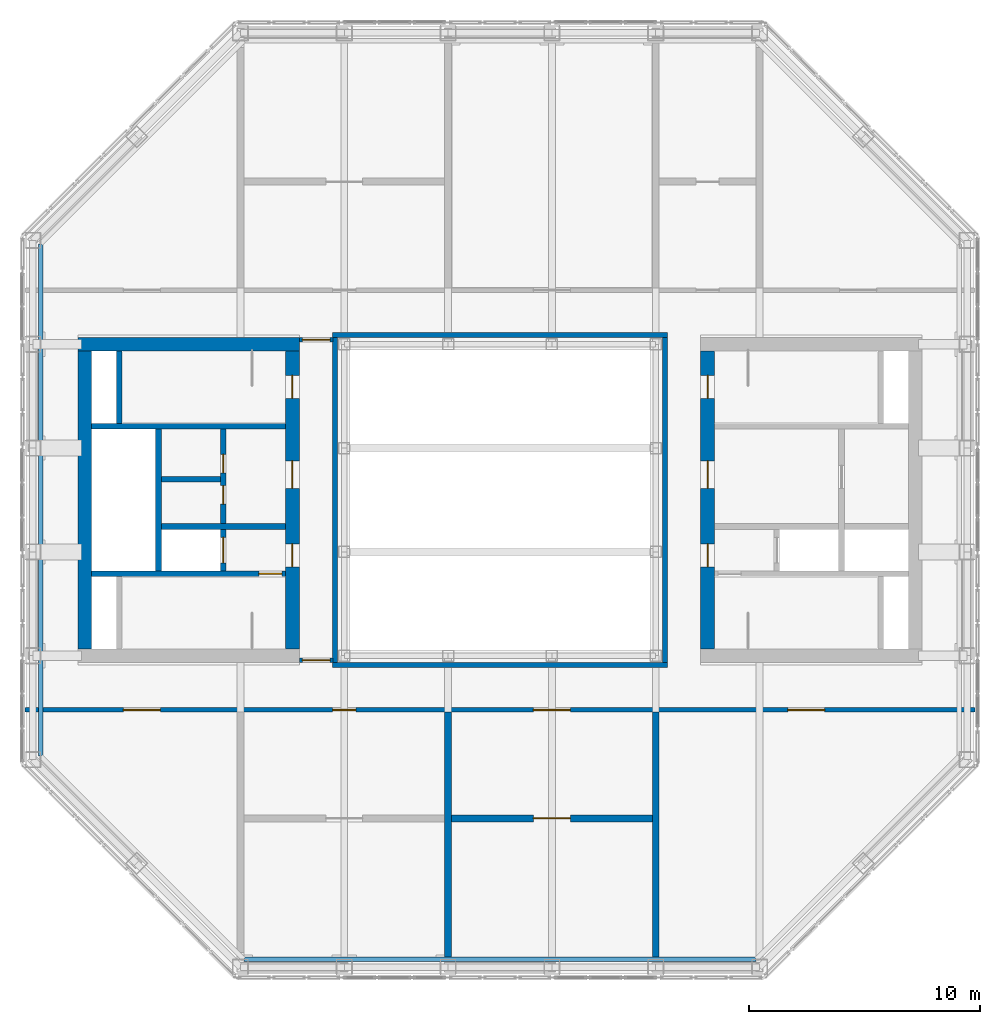
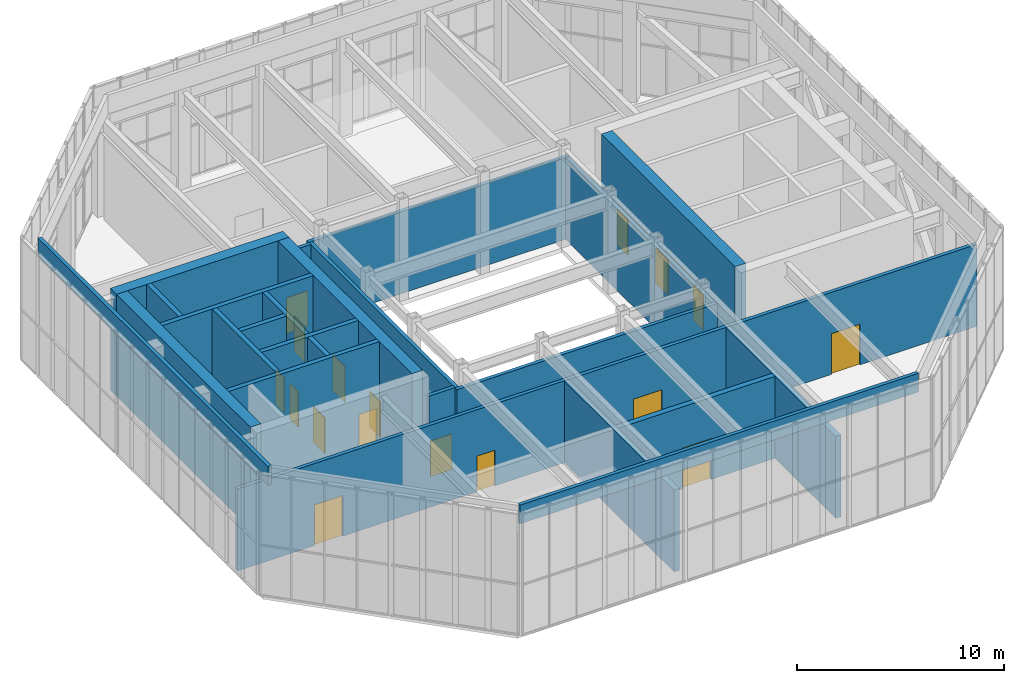
# One storey, part 13 of 15: 23 walls, 17 doors, 17 openings.
"""IFC4 building model written with IfcOpenShell, lengths in metres."""

from ifc_helpers import new_model, si_unit, direction, frame, frame_2d, origin, place, context, subcontext, project, spatial, rectangle, extrude, material, layer, layer_set, type_object, element, fill, save


model = new_model("IFC4")

# Units and contexts
model_context = context("Model", 3, precision=1e-05, world=origin(), true_north=direction((0.0, 1.0)))
body_context = subcontext(model_context, "Body", "Model", "MODEL_VIEW")
ifc_project = project(units=[si_unit("LENGTHUNIT", "METRE"), si_unit("AREAUNIT", "SQUARE_METRE"), si_unit("VOLUMEUNIT", "CUBIC_METRE"), si_unit("PLANEANGLEUNIT", "RADIAN"), si_unit("MASSUNIT", "GRAM", prefix="KILO")], contexts=[model_context])

# Site, building, storey
site_placement = place(None, origin())
site = spatial("IfcSite", under=ifc_project, at=site_placement, CompositionType="ELEMENT")
building_placement = place(site_placement, origin())
building = spatial("IfcBuilding", under=site, at=building_placement, Name="Msasa Ring Tower", CompositionType="ELEMENT")
storey_placement = place(building_placement, frame((0.0, 0.0, 268.050048828125)))
storey = spatial("IfcBuildingStorey", under=building, at=storey_placement, Name="L69", CompositionType="ELEMENT", Elevation=268.050048828125)

# Wall, openings, doors
ifc_material_1 = material(Name="Concrete C60/75", Category="concrete")
ifc_layer_1 = layer(ifc_material_1, 0.60009765625)
ifc_layer_set_1 = layer_set([ifc_layer_1], Name="CW3 CORE WALL 600")
wall_type_1 = type_object("IfcWallType", Name="CW3 CORE WALL 600", PredefinedType="SHEAR", material=ifc_layer_set_1)
wall_1_placement = place(storey_placement, frame((9.0, -6.449951171875, 0.0), z_axis=(0.0, 0.0, 1.0), x_axis=(0.0, 1.0, 0.0)))
wall_1 = element("IfcWall", 1, at=wall_1_placement, inside=storey, type_object=wall_type_1, Name="E core wall W L69", PredefinedType="SHEAR", context=body_context, shape_type="SweptSolid", body=[
    extrude(rectangle(XDim=12.89990234375, YDim=0.60009765625, at=frame_2d((6.449951171875, 0.0))), origin(), (0.0, 0.0, 1.0), 6.0),
])
opening_1_placement = place(wall_1_placement, frame((3.550048828125, 0.0, 0.0)))
opening_1 = element("IfcOpeningElement", 2, at=opening_1_placement, cuts=wall_1, Name="Opening L69-017", PredefinedType="OPENING", context=body_context, shape_type="SweptSolid", body=[
    extrude(rectangle(XDim=1.0, YDim=2.10009765625, at=frame_2d((0.5, 1.050048828125))), frame((0.0, 0.31005859375, 0.0), z_axis=(0.0, -1.0, 0.0), x_axis=(1.0, 0.0, 0.0)), (0.0, 0.0, 1.0), 0.6201171875),
])
opening_2_placement = place(wall_1_placement, frame((6.949951171875, 0.0, 0.0)))
opening_2 = element("IfcOpeningElement", 3, at=opening_2_placement, cuts=wall_1, Name="Opening L69-013", PredefinedType="OPENING", context=body_context, shape_type="SweptSolid", body=[
    extrude(rectangle(XDim=1.199951171875, YDim=2.10009765625, at=frame_2d((0.60009765625, 1.050048828125))), frame((0.0, 0.31005859375, 0.0), z_axis=(0.0, -1.0, 0.0), x_axis=(1.0, 0.0, 0.0)), (0.0, 0.0, 1.0), 0.6201171875),
])
opening_3_placement = place(wall_1_placement, frame((10.85009765625, 0.0, 0.0)))
opening_3 = element("IfcOpeningElement", 4, at=opening_3_placement, cuts=wall_1, Name="Opening L69-010", PredefinedType="OPENING", context=body_context, shape_type="SweptSolid", body=[
    extrude(rectangle(XDim=1.0, YDim=2.10009765625, at=frame_2d((0.5, 1.050048828125))), frame((0.0, 0.31005859375, 0.0), z_axis=(0.0, -1.0, 0.0), x_axis=(1.0, 0.0, 0.0)), (0.0, 0.0, 1.0), 0.6201171875),
])
ifc_material_2 = material(Name="Timber door leaf in a steel frame", Category="steel")
door_type_1 = type_object("IfcDoorType", Name="D4 LOBBY DOOR 1000x2100", OperationType="SINGLE_SWING_LEFT", PredefinedType="DOOR", material=ifc_material_2)
door_1_placement = place(opening_1_placement, origin())
door_1 = element("IfcDoor", 5, at=door_1_placement, inside=storey, type_object=door_type_1, Name="Door L69-EFFL", OperationType="SINGLE_SWING_LEFT", OverallHeight=2.10009765625, OverallWidth=1.0, PredefinedType="DOOR", context=body_context, shape_type="SweptSolid", body=[
    extrude(rectangle(XDim=1.0, YDim=2.10009765625, at=frame_2d((0.5, 1.050048828125))), frame((0.0, 0.02490234375, 0.0), z_axis=(0.0, -1.0, 0.0), x_axis=(1.0, 0.0, 0.0)), (0.0, 0.0, 1.0), 0.050048828125),
])
fill(opening_1, door_1)
ifc_material_3 = material(Name="Timber door leaf in a steel frame", Category="steel")
door_type_2 = type_object("IfcDoorType", Name="D5 WIDE LOBBY DOOR 1200x2100", OperationType="SINGLE_SWING_LEFT", PredefinedType="DOOR", material=ifc_material_3)
door_2_placement = place(opening_2_placement, origin())
door_2 = element("IfcDoor", 6, at=door_2_placement, inside=storey, type_object=door_type_2, Name="Door L69-ELL", OperationType="SINGLE_SWING_RIGHT", OverallHeight=2.10009765625, OverallWidth=1.199951171875, PredefinedType="DOOR", context=body_context, shape_type="SweptSolid", body=[
    extrude(rectangle(XDim=1.199951171875, YDim=2.10009765625, at=frame_2d((0.60009765625, 1.050048828125))), frame((0.0, 0.02490234375, 0.0), z_axis=(0.0, -1.0, 0.0), x_axis=(1.0, 0.0, 0.0)), (0.0, 0.0, 1.0), 0.050048828125),
])
fill(opening_2, door_2)
ifc_material_4 = material(Name="Timber door leaf in a steel frame", Category="steel")
door_type_3 = type_object("IfcDoorType", Name="D6 STAIR DOOR 1000x2100", OperationType="SINGLE_SWING_LEFT", PredefinedType="DOOR", material=ifc_material_4)
door_3_placement = place(opening_3_placement, origin())
door_3 = element("IfcDoor", 7, at=door_3_placement, inside=storey, type_object=door_type_3, Name="Door L69-ESTB", OperationType="SINGLE_SWING_RIGHT", OverallHeight=2.10009765625, OverallWidth=1.0, PredefinedType="DOOR", context=body_context, shape_type="SweptSolid", body=[
    extrude(rectangle(XDim=1.0, YDim=2.10009765625, at=frame_2d((0.5, 1.050048828125))), frame((0.0, 0.02490234375, 0.0), z_axis=(0.0, -1.0, 0.0), x_axis=(1.0, 0.0, 0.0)), (0.0, 0.0, 1.0), 0.050048828125),
])
fill(opening_3, door_3)

# Wall
wall_2_placement = place(storey_placement, frame((-8.699951171875, 6.75, 0.0), z_axis=(0.0, 0.0, 1.0), x_axis=(-1.0, 0.0, 0.0)))
element("IfcWall", 8, at=wall_2_placement, inside=storey, type_object=wall_type_1, Name="W core wall N L69", PredefinedType="SHEAR", context=body_context, shape_type="SweptSolid", body=[
    extrude(rectangle(XDim=9.60009765625, YDim=0.60009765625, at=frame_2d((4.800048828125, 0.0))), origin(), (0.0, 0.0, 1.0), 6.0),
])

# Wall, openings, doors
wall_3_placement = place(storey_placement, frame((-9.0, -6.449951171875, 0.0), z_axis=(0.0, 0.0, 1.0), x_axis=(0.0, 1.0, 0.0)))
wall_3 = element("IfcWall", 9, at=wall_3_placement, inside=storey, type_object=wall_type_1, Name="W core wall W L69", PredefinedType="SHEAR", context=body_context, shape_type="SweptSolid", body=[
    extrude(rectangle(XDim=12.89990234375, YDim=0.60009765625, at=frame_2d((6.449951171875, 0.0))), origin(), (0.0, 0.0, 1.0), 6.0),
])
opening_4_placement = place(wall_3_placement, frame((3.550048828125, 0.0, 0.0)))
opening_4 = element("IfcOpeningElement", 10, at=opening_4_placement, cuts=wall_3, Name="Opening L69-016", PredefinedType="OPENING", context=body_context, shape_type="SweptSolid", body=[
    extrude(rectangle(XDim=1.0, YDim=2.10009765625, at=frame_2d((0.5, 1.050048828125))), frame((0.0, 0.31005859375, 0.0), z_axis=(0.0, -1.0, 0.0), x_axis=(1.0, 0.0, 0.0)), (0.0, 0.0, 1.0), 0.6201171875),
])
opening_5_placement = place(wall_3_placement, frame((6.949951171875, 0.0, 0.0)))
opening_5 = element("IfcOpeningElement", 11, at=opening_5_placement, cuts=wall_3, Name="Opening L69-012", PredefinedType="OPENING", context=body_context, shape_type="SweptSolid", body=[
    extrude(rectangle(XDim=1.199951171875, YDim=2.10009765625, at=frame_2d((0.60009765625, 1.050048828125))), frame((0.0, 0.31005859375, 0.0), z_axis=(0.0, -1.0, 0.0), x_axis=(1.0, 0.0, 0.0)), (0.0, 0.0, 1.0), 0.6201171875),
])
opening_6_placement = place(wall_3_placement, frame((10.85009765625, 0.0, 0.0)))
opening_6 = element("IfcOpeningElement", 12, at=opening_6_placement, cuts=wall_3, Name="Opening L69-009", PredefinedType="OPENING", context=body_context, shape_type="SweptSolid", body=[
    extrude(rectangle(XDim=1.0, YDim=2.10009765625, at=frame_2d((0.5, 1.050048828125))), frame((0.0, 0.31005859375, 0.0), z_axis=(0.0, -1.0, 0.0), x_axis=(1.0, 0.0, 0.0)), (0.0, 0.0, 1.0), 0.6201171875),
])
door_4_placement = place(opening_4_placement, origin())
door_4 = element("IfcDoor", 13, at=door_4_placement, inside=storey, type_object=door_type_1, Name="Door L69-WFFL", OperationType="SINGLE_SWING_LEFT", OverallHeight=2.10009765625, OverallWidth=1.0, PredefinedType="DOOR", context=body_context, shape_type="SweptSolid", body=[
    extrude(rectangle(XDim=1.0, YDim=2.10009765625, at=frame_2d((0.5, 1.050048828125))), frame((0.0, 0.02490234375, 0.0), z_axis=(0.0, -1.0, 0.0), x_axis=(1.0, 0.0, 0.0)), (0.0, 0.0, 1.0), 0.050048828125),
])
fill(opening_4, door_4)
door_5_placement = place(opening_5_placement, origin())
door_5 = element("IfcDoor", 14, at=door_5_placement, inside=storey, type_object=door_type_2, Name="Door L69-WLL", OperationType="SINGLE_SWING_RIGHT", OverallHeight=2.10009765625, OverallWidth=1.199951171875, PredefinedType="DOOR", context=body_context, shape_type="SweptSolid", body=[
    extrude(rectangle(XDim=1.199951171875, YDim=2.10009765625, at=frame_2d((0.60009765625, 1.050048828125))), frame((0.0, 0.02490234375, 0.0), z_axis=(0.0, -1.0, 0.0), x_axis=(1.0, 0.0, 0.0)), (0.0, 0.0, 1.0), 0.050048828125),
])
fill(opening_5, door_5)
door_6_placement = place(opening_6_placement, origin())
door_6 = element("IfcDoor", 15, at=door_6_placement, inside=storey, type_object=door_type_3, Name="Door L69-WSTB", OperationType="SINGLE_SWING_RIGHT", OverallHeight=2.10009765625, OverallWidth=1.0, PredefinedType="DOOR", context=body_context, shape_type="SweptSolid", body=[
    extrude(rectangle(XDim=1.0, YDim=2.10009765625, at=frame_2d((0.5, 1.050048828125))), frame((0.0, 0.02490234375, 0.0), z_axis=(0.0, -1.0, 0.0), x_axis=(1.0, 0.0, 0.0)), (0.0, 0.0, 1.0), 0.050048828125),
])
fill(opening_6, door_6)

# Wall
wall_4_placement = place(storey_placement, frame((-18.0, -6.449951171875, 0.0), z_axis=(0.0, 0.0, 1.0), x_axis=(0.0, 1.0, 0.0)))
element("IfcWall", 16, at=wall_4_placement, inside=storey, type_object=wall_type_1, Name="W core wall E L69", PredefinedType="SHEAR", context=body_context, shape_type="SweptSolid", body=[
    extrude(rectangle(XDim=12.89990234375, YDim=0.60009765625, at=frame_2d((6.449951171875, 0.0))), origin(), (0.0, 0.0, 1.0), 6.0),
])

# Wall, opening, door
ifc_material_5 = material(Name="Concrete C60/75", Category="concrete")
ifc_layer_2 = layer(ifc_material_5, 0.25)
ifc_layer_set_2 = layer_set([ifc_layer_2], Name="CW4 CORE INNER WALL 250")
wall_type_2 = type_object("IfcWallType", Name="CW4 CORE INNER WALL 250", PredefinedType="SHEAR", material=ifc_layer_set_2)
wall_5_placement = place(storey_placement, frame((-9.300048828125, -3.199951171875, 0.0), z_axis=(0.0, 0.0, 1.0), x_axis=(-1.0, 0.0, 0.0)))
wall_5 = element("IfcWall", 17, at=wall_5_placement, inside=storey, type_object=wall_type_2, Name="W core wall STAIRA L69", PredefinedType="SHEAR", context=body_context, shape_type="SweptSolid", body=[
    extrude(rectangle(XDim=8.39990234375, YDim=0.25, at=frame_2d((4.199951171875, 0.0))), origin(), (0.0, 0.0, 1.0), 6.0),
])
opening_7_placement = place(wall_5_placement, frame((0.14990234375, 0.0, 0.0)))
opening_7 = element("IfcOpeningElement", 18, at=opening_7_placement, cuts=wall_5, Name="Opening L69-018", PredefinedType="OPENING", context=body_context, shape_type="SweptSolid", body=[
    extrude(rectangle(XDim=1.0, YDim=2.10009765625, at=frame_2d((0.5, 1.050048828125))), frame((0.0, 0.135009765625, 0.0), z_axis=(0.0, -1.0, 0.0), x_axis=(1.0, 0.0, 0.0)), (0.0, 0.0, 1.0), 0.27001953125),
])
door_7_placement = place(opening_7_placement, origin())
door_7 = element("IfcDoor", 19, at=door_7_placement, inside=storey, type_object=door_type_3, Name="Door L69-WSTA", OperationType="SINGLE_SWING_LEFT", OverallHeight=2.10009765625, OverallWidth=1.0, PredefinedType="DOOR", context=body_context, shape_type="SweptSolid", body=[
    extrude(rectangle(XDim=1.0, YDim=2.10009765625, at=frame_2d((0.5, 1.050048828125))), frame((0.0, 0.02490234375, 0.0), z_axis=(0.0, -1.0, 0.0), x_axis=(1.0, 0.0, 0.0)), (0.0, 0.0, 1.0), 0.050048828125),
])
fill(opening_7, door_7)

# Walls
wall_6_placement = place(storey_placement, frame((-9.300048828125, 3.199951171875, 0.0), z_axis=(0.0, 0.0, 1.0), x_axis=(-1.0, 0.0, 0.0)))
element("IfcWall", 20, at=wall_6_placement, inside=storey, type_object=wall_type_2, Name="W core wall STAIRB L69", PredefinedType="SHEAR", context=body_context, shape_type="SweptSolid", body=[
    extrude(rectangle(XDim=8.39990234375, YDim=0.25, at=frame_2d((4.199951171875, 0.0))), origin(), (0.0, 0.0, 1.0), 6.0),
])
wall_7_placement = place(storey_placement, frame((-16.5, 3.324951171875, 0.0), z_axis=(0.0, 0.0, 1.0), x_axis=(0.0, 1.0, 0.0)))
element("IfcWall", 21, at=wall_7_placement, inside=storey, type_object=wall_type_2, Name="W core wall RISERB L69", PredefinedType="SHEAR", context=body_context, shape_type="SweptSolid", body=[
    extrude(rectangle(XDim=3.125, YDim=0.25, at=frame_2d((1.5625, 0.0))), origin(), (0.0, 0.0, 1.0), 6.0),
])
wall_8_placement = place(storey_placement, frame((-9.300048828125, -1.14990234375, 0.0), z_axis=(0.0, 0.0, 1.0), x_axis=(-1.0, 0.0, 0.0)))
element("IfcWall", 22, at=wall_8_placement, inside=storey, type_object=wall_type_2, Name="W core wall FFL L69", PredefinedType="SHEAR", context=body_context, shape_type="SweptSolid", body=[
    extrude(rectangle(XDim=5.375, YDim=0.25, at=frame_2d((2.6875, 0.0))), origin(), (0.0, 0.0, 1.0), 6.0),
])

# Wall, openings, doors
wall_9_placement = place(storey_placement, frame((-12.0, -3.074951171875, 0.0), z_axis=(0.0, 0.0, 1.0), x_axis=(0.0, 1.0, 0.0)))
wall_9 = element("IfcWall", 23, at=wall_9_placement, inside=storey, type_object=wall_type_2, Name="W core wall LOBBY L69", PredefinedType="SHEAR", context=body_context, shape_type="SweptSolid", body=[
    extrude(rectangle(XDim=6.14990234375, YDim=0.25, at=frame_2d((3.074951171875, 0.0))), origin(), (0.0, 0.0, 1.0), 6.0),
])
opening_8_placement = place(wall_9_placement, frame((2.89990234375, 0.0, 0.0)))
opening_8 = element("IfcOpeningElement", 24, at=opening_8_placement, cuts=wall_9, Name="Opening L69-015", PredefinedType="OPENING", context=body_context, shape_type="SweptSolid", body=[
    extrude(rectangle(XDim=0.800048828125, YDim=2.10009765625, at=frame_2d((0.39990234375, 1.050048828125))), frame((0.0, 0.135009765625, 0.0), z_axis=(0.0, -1.0, 0.0), x_axis=(1.0, 0.0, 0.0)), (0.0, 0.0, 1.0), 0.27001953125),
])
opening_9_placement = place(wall_9_placement, frame((4.25, 0.0, 0.0)))
opening_9 = element("IfcOpeningElement", 25, at=opening_9_placement, cuts=wall_9, Name="Opening L69-011", PredefinedType="OPENING", context=body_context, shape_type="SweptSolid", body=[
    extrude(rectangle(XDim=0.800048828125, YDim=2.10009765625, at=frame_2d((0.39990234375, 1.050048828125))), frame((0.0, 0.135009765625, 0.0), z_axis=(0.0, -1.0, 0.0), x_axis=(1.0, 0.0, 0.0)), (0.0, 0.0, 1.0), 0.27001953125),
])
opening_10_placement = place(wall_9_placement, frame((0.35009765625, 0.0, 0.0)))
opening_10 = element("IfcOpeningElement", 26, at=opening_10_placement, cuts=wall_9, Name="Opening LD1", PredefinedType="OPENING", context=body_context, shape_type="SweptSolid", body=[
    extrude(rectangle(XDim=1.10009765625, YDim=2.10009765625, at=frame_2d((0.550048828125, 1.050048828125))), frame((0.0, 0.135009765625, 0.0), z_axis=(0.0, -1.0, 0.0), x_axis=(1.0, 0.0, 0.0)), (0.0, 0.0, 1.0), 0.27001953125),
])
ifc_material_6 = material(Name="Timber door leaf in a steel frame", Category="steel")
door_type_4 = type_object("IfcDoorType", Name="D9 NARROW SERVICE DOOR 800x2100", OperationType="SINGLE_SWING_LEFT", PredefinedType="DOOR", material=ifc_material_6)
door_8_placement = place(opening_8_placement, origin())
door_8 = element("IfcDoor", 27, at=door_8_placement, inside=storey, type_object=door_type_4, Name="Door L69-WR1", OperationType="SINGLE_SWING_RIGHT", OverallHeight=2.10009765625, OverallWidth=0.800048828125, PredefinedType="DOOR", context=body_context, shape_type="SweptSolid", body=[
    extrude(rectangle(XDim=0.800048828125, YDim=2.10009765625, at=frame_2d((0.39990234375, 1.050048828125))), frame((0.0, 0.02490234375, 0.0), z_axis=(0.0, -1.0, 0.0), x_axis=(1.0, 0.0, 0.0)), (0.0, 0.0, 1.0), 0.050048828125),
])
fill(opening_8, door_8)
door_9_placement = place(opening_9_placement, origin())
door_9 = element("IfcDoor", 28, at=door_9_placement, inside=storey, type_object=door_type_4, Name="Door L69-WR2", OperationType="SINGLE_SWING_RIGHT", OverallHeight=2.10009765625, OverallWidth=0.800048828125, PredefinedType="DOOR", context=body_context, shape_type="SweptSolid", body=[
    extrude(rectangle(XDim=0.800048828125, YDim=2.10009765625, at=frame_2d((0.39990234375, 1.050048828125))), frame((0.0, 0.02490234375, 0.0), z_axis=(0.0, -1.0, 0.0), x_axis=(1.0, 0.0, 0.0)), (0.0, 0.0, 1.0), 0.050048828125),
])
fill(opening_9, door_9)
ifc_material_7 = material(Name="Stainless steel lift landing door", Category="steel")
door_type_5 = type_object("IfcDoorType", Name="LD1 LIFT LANDING DOOR 1100x2100", OperationType="DOUBLE_DOOR_SLIDING", PredefinedType="DOOR", material=ifc_material_7)
door_10_placement = place(opening_10_placement, origin())
door_10 = element("IfcDoor", 29, at=door_10_placement, inside=storey, type_object=door_type_5, Name="Lift landing door FL-W L69", OperationType="DOUBLE_DOOR_SLIDING", OverallHeight=2.10009765625, OverallWidth=1.10009765625, PredefinedType="DOOR", context=body_context, shape_type="SweptSolid", body=[
    extrude(rectangle(XDim=1.10009765625, YDim=2.10009765625, at=frame_2d((0.550048828125, 1.050048828125))), frame((0.0, 0.02490234375, 0.0), z_axis=(0.0, -1.0, 0.0), x_axis=(1.0, 0.0, 0.0)), (0.0, 0.0, 1.0), 0.050048828125),
])
fill(opening_10, door_10)

# Walls
wall_10_placement = place(storey_placement, frame((-14.800048828125, -3.074951171875, 0.0), z_axis=(0.0, 0.0, 1.0), x_axis=(0.0, 1.0, 0.0)))
element("IfcWall", 30, at=wall_10_placement, inside=storey, type_object=wall_type_2, Name="W core wall SHAFT L69", PredefinedType="SHEAR", context=body_context, shape_type="SweptSolid", body=[
    extrude(rectangle(XDim=6.14990234375, YDim=0.25, at=frame_2d((3.074951171875, 0.0))), origin(), (0.0, 0.0, 1.0), 6.0),
])
wall_11_placement = place(storey_placement, frame((-12.125, 0.89990234375, 0.0), z_axis=(0.0, 0.0, 1.0), x_axis=(-1.0, 0.0, 0.0)))
element("IfcWall", 31, at=wall_11_placement, inside=storey, type_object=wall_type_2, Name="W core wall LIFT1 L69", PredefinedType="SHEAR", context=body_context, shape_type="SweptSolid", body=[
    extrude(rectangle(XDim=2.550048828125, YDim=0.25, at=frame_2d((1.27490234375, 0.0))), origin(), (0.0, 0.0, 1.0), 6.0),
])
ifc_material_8 = material(Name="Terracotta rainscreen on blockwork", Category="masonry")
ifc_layer_3 = layer(ifc_material_8, 0.199951171875)
ifc_layer_set_3 = layer_set([ifc_layer_3], Name="FW4 LIGHT WELL WALL 200")
wall_type_3 = type_object("IfcWallType", Name="FW4 LIGHT WELL WALL 200", PredefinedType="SOLIDWALL", material=ifc_layer_set_3)
for number, where, z_axis, x_axis, name in (
    (32, (-7.25, 7.14990234375, 0.0), (0.0, 0.0, 1.0), (1.0, 0.0, 0.0), "Light well wall N L69"),
    (33, (-7.25, -7.14990234375, 0.0), (0.0, 0.0, 1.0), (1.0, 0.0, 0.0), "Light well wall S L69"),
):
    element("IfcWall", number, at=place(storey_placement, frame(where, z_axis=z_axis, x_axis=x_axis)), inside=storey, type_object=wall_type_3, Name=name, PredefinedType="SOLIDWALL", context=body_context, shape_type="SweptSolid", body=[
        extrude(rectangle(XDim=14.5, YDim=0.199951171875, at=frame_2d((7.25, 0.0))), origin(), (0.0, 0.0, 1.0), 4.828857421875),
    ])
for number, where, z_axis, x_axis, name in (
    (34, (7.14990234375, -7.050048828125, 0.0), (0.0, 0.0, 1.0), (0.0, 1.0, 0.0), "Light well wall E L69"),
    (35, (-7.14990234375, -7.050048828125, 0.0), (0.0, 0.0, 1.0), (0.0, 1.0, 0.0), "Light well wall W L69"),
):
    element("IfcWall", number, at=place(storey_placement, frame(where, z_axis=z_axis, x_axis=x_axis)), inside=storey, type_object=wall_type_3, Name=name, PredefinedType="SOLIDWALL", context=body_context, shape_type="SweptSolid", body=[
        extrude(rectangle(XDim=14.10009765625, YDim=0.199951171875, at=frame_2d((7.050048828125, 0.0))), origin(), (0.0, 0.0, 1.0), 4.828857421875),
    ])

# Wall, opening, door
ifc_material_9 = material(Name="Concrete blockwork", Category="masonry")
ifc_layer_4 = layer(ifc_material_9, 0.199951171875)
ifc_layer_set_4 = layer_set([ifc_layer_4], Name="PT1 CORRIDOR WALL 200")
wall_type_4 = type_object("IfcWallType", Name="PT1 CORRIDOR WALL 200", PredefinedType="PARTITIONING", material=ifc_layer_set_4)
wall_12_placement = place(storey_placement, frame((-8.699951171875, 6.949951171875, 0.0), z_axis=(0.0, 0.0, 1.0), x_axis=(1.0, 0.0, 0.0)))
wall_12 = element("IfcWall", 36, at=wall_12_placement, inside=storey, type_object=wall_type_4, Name="Corridor wall L69-SDWN", PredefinedType="PARTITIONING", context=body_context, shape_type="SweptSolid", body=[
    extrude(rectangle(XDim=1.469970703125, YDim=0.199951171875, at=frame_2d((0.73486328125, 0.0))), origin(), (0.0, 0.0, 1.0), 4.828857421875),
])
opening_11_placement = place(wall_12_placement, frame((0.135009765625, 0.0, 0.0)))
opening_11 = element("IfcOpeningElement", 37, at=opening_11_placement, cuts=wall_12, Name="Opening L69-008", PredefinedType="OPENING", context=body_context, shape_type="SweptSolid", body=[
    extrude(rectangle(XDim=1.199951171875, YDim=2.10009765625, at=frame_2d((0.60009765625, 1.050048828125))), frame((0.0, 0.10986328125, 0.0), z_axis=(0.0, -1.0, 0.0), x_axis=(1.0, 0.0, 0.0)), (0.0, 0.0, 1.0), 0.219970703125),
])
ifc_material_10 = material(Name="Timber door leaf in a steel frame", Category="steel")
door_type_6 = type_object("IfcDoorType", Name="D25 CORRIDOR PAIR OF SMOKE DOORS 1200x2100", OperationType="DOUBLE_DOOR_DOUBLE_SWING", PredefinedType="DOOR", material=ifc_material_10)
door_11_placement = place(opening_11_placement, origin())
door_11 = element("IfcDoor", 38, at=door_11_placement, inside=storey, type_object=door_type_6, Name="Door L69-SDWN", OperationType="DOUBLE_DOOR_DOUBLE_SWING", OverallHeight=2.10009765625, OverallWidth=1.199951171875, PredefinedType="DOOR", context=body_context, shape_type="SweptSolid", body=[
    extrude(rectangle(XDim=1.199951171875, YDim=2.10009765625, at=frame_2d((0.60009765625, 1.050048828125))), frame((0.0, 0.02490234375, 0.0), z_axis=(0.0, -1.0, 0.0), x_axis=(1.0, 0.0, 0.0)), (0.0, 0.0, 1.0), 0.050048828125),
])
fill(opening_11, door_11)

wall_13_placement = place(storey_placement, frame((-8.699951171875, -6.949951171875, 0.0), z_axis=(0.0, 0.0, 1.0), x_axis=(1.0, 0.0, 0.0)))
wall_13 = element("IfcWall", 39, at=wall_13_placement, inside=storey, type_object=wall_type_4, Name="Corridor wall L69-SDWS", PredefinedType="PARTITIONING", context=body_context, shape_type="SweptSolid", body=[
    extrude(rectangle(XDim=1.469970703125, YDim=0.199951171875, at=frame_2d((0.73486328125, 0.0))), origin(), (0.0, 0.0, 1.0), 4.828857421875),
])
opening_12_placement = place(wall_13_placement, frame((0.135009765625, 0.0, 0.0)))
opening_12 = element("IfcOpeningElement", 40, at=opening_12_placement, cuts=wall_13, Name="Opening L69-020", PredefinedType="OPENING", context=body_context, shape_type="SweptSolid", body=[
    extrude(rectangle(XDim=1.199951171875, YDim=2.10009765625, at=frame_2d((0.60009765625, 1.050048828125))), frame((0.0, 0.10986328125, 0.0), z_axis=(0.0, -1.0, 0.0), x_axis=(1.0, 0.0, 0.0)), (0.0, 0.0, 1.0), 0.219970703125),
])
door_12_placement = place(opening_12_placement, origin())
door_12 = element("IfcDoor", 41, at=door_12_placement, inside=storey, type_object=door_type_6, Name="Door L69-SDWS", OperationType="DOUBLE_DOOR_DOUBLE_SWING", OverallHeight=2.10009765625, OverallWidth=1.199951171875, PredefinedType="DOOR", context=body_context, shape_type="SweptSolid", body=[
    extrude(rectangle(XDim=1.199951171875, YDim=2.10009765625, at=frame_2d((0.60009765625, 1.050048828125))), frame((0.0, 0.02490234375, 0.0), z_axis=(0.0, -1.0, 0.0), x_axis=(1.0, 0.0, 0.0)), (0.0, 0.0, 1.0), 0.050048828125),
])
fill(opening_12, door_12)

# Wall, openings, doors
wall_14_placement = place(storey_placement, frame((-20.590087890625, -9.10009765625, 0.0), z_axis=(0.0, 0.0, 1.0), x_axis=(1.0, 0.0, 0.0)))
wall_14 = element("IfcWall", 42, at=wall_14_placement, inside=storey, type_object=wall_type_4, Name="Corridor wall L69-CORRS0", PredefinedType="PARTITIONING", context=body_context, shape_type="SweptSolid", body=[
    extrude(rectangle(XDim=41.18017578125, YDim=0.199951171875, at=frame_2d((20.590087890625, 0.0))), origin(), (0.0, 0.0, 1.0), 4.828857421875),
])
opening_13_placement = place(wall_14_placement, frame((4.264892578125, 0.0, 0.0)))
opening_13 = element("IfcOpeningElement", 43, at=opening_13_placement, cuts=wall_14, Name="Opening L69-021", PredefinedType="OPENING", context=body_context, shape_type="SweptSolid", body=[
    extrude(rectangle(XDim=1.60009765625, YDim=2.39990234375, at=frame_2d((0.800048828125, 1.199951171875))), frame((0.0, 0.10986328125, 0.0), z_axis=(0.0, -1.0, 0.0), x_axis=(1.0, 0.0, 0.0)), (0.0, 0.0, 1.0), 0.219970703125),
])
opening_14_placement = place(wall_14_placement, frame((13.340087890625, 0.0, 0.0)))
opening_14 = element("IfcOpeningElement", 44, at=opening_14_placement, cuts=wall_14, Name="Opening L69-022", PredefinedType="OPENING", context=body_context, shape_type="SweptSolid", body=[
    extrude(rectangle(XDim=1.0, YDim=2.10009765625, at=frame_2d((0.5, 1.050048828125))), frame((0.0, 0.10986328125, 0.0), z_axis=(0.0, -1.0, 0.0), x_axis=(1.0, 0.0, 0.0)), (0.0, 0.0, 1.0), 0.219970703125),
])
opening_15_placement = place(wall_14_placement, frame((22.0400390625, 0.0, 0.0)))
opening_15 = element("IfcOpeningElement", 45, at=opening_15_placement, cuts=wall_14, Name="Opening L69-023", PredefinedType="OPENING", context=body_context, shape_type="SweptSolid", body=[
    extrude(rectangle(XDim=1.60009765625, YDim=2.39990234375, at=frame_2d((0.800048828125, 1.199951171875))), frame((0.0, 0.10986328125, 0.0), z_axis=(0.0, -1.0, 0.0), x_axis=(1.0, 0.0, 0.0)), (0.0, 0.0, 1.0), 0.219970703125),
])
opening_16_placement = place(wall_14_placement, frame((33.06494140625, 0.0, 0.0)))
opening_16 = element("IfcOpeningElement", 46, at=opening_16_placement, cuts=wall_14, Name="Opening L69-024", PredefinedType="OPENING", context=body_context, shape_type="SweptSolid", body=[
    extrude(rectangle(XDim=1.60009765625, YDim=2.39990234375, at=frame_2d((0.800048828125, 1.199951171875))), frame((0.0, 0.10986328125, 0.0), z_axis=(0.0, -1.0, 0.0), x_axis=(1.0, 0.0, 0.0)), (0.0, 0.0, 1.0), 0.219970703125),
])
ifc_material_11 = material(Name="Timber door leaf in a steel frame", Category="steel")
door_type_7 = type_object("IfcDoorType", Name="D13 PLANT ROOM DOOR 1000x2100", OperationType="SINGLE_SWING_LEFT", PredefinedType="DOOR", material=ifc_material_11)
door_13_placement = place(opening_14_placement, origin())
door_13 = element("IfcDoor", 47, at=door_13_placement, inside=storey, type_object=door_type_7, Name="Door L69-LPS1A", OperationType="SINGLE_SWING_LEFT", OverallHeight=2.10009765625, OverallWidth=1.0, PredefinedType="DOOR", context=body_context, shape_type="SweptSolid", body=[
    extrude(rectangle(XDim=1.0, YDim=2.10009765625, at=frame_2d((0.5, 1.050048828125))), frame((0.0, 0.02490234375, 0.0), z_axis=(0.0, -1.0, 0.0), x_axis=(1.0, 0.0, 0.0)), (0.0, 0.0, 1.0), 0.050048828125),
])
fill(opening_14, door_13)
ifc_material_12 = material(Name="Timber door leaf in a steel frame", Category="steel")
door_type_8 = type_object("IfcDoorType", Name="D20 PLANT ROOM PAIR OF DOORS 1600x2400", OperationType="SINGLE_SWING_LEFT", PredefinedType="DOOR", material=ifc_material_12)
door_14_placement = place(opening_13_placement, origin())
door_14 = element("IfcDoor", 48, at=door_14_placement, inside=storey, type_object=door_type_8, Name="Door L69-LPS0", OperationType="SINGLE_SWING_LEFT", OverallHeight=2.39990234375, OverallWidth=1.60009765625, PredefinedType="DOOR", context=body_context, shape_type="SweptSolid", body=[
    extrude(rectangle(XDim=1.60009765625, YDim=2.39990234375, at=frame_2d((0.800048828125, 1.199951171875))), frame((0.0, 0.02490234375, 0.0), z_axis=(0.0, -1.0, 0.0), x_axis=(1.0, 0.0, 0.0)), (0.0, 0.0, 1.0), 0.050048828125),
])
fill(opening_13, door_14)
door_15_placement = place(opening_15_placement, origin())
door_15 = element("IfcDoor", 49, at=door_15_placement, inside=storey, type_object=door_type_8, Name="Door L69-LPS2A", OperationType="SINGLE_SWING_RIGHT", OverallHeight=2.39990234375, OverallWidth=1.60009765625, PredefinedType="DOOR", context=body_context, shape_type="SweptSolid", body=[
    extrude(rectangle(XDim=1.60009765625, YDim=2.39990234375, at=frame_2d((0.800048828125, 1.199951171875))), frame((0.0, 0.02490234375, 0.0), z_axis=(0.0, -1.0, 0.0), x_axis=(1.0, 0.0, 0.0)), (0.0, 0.0, 1.0), 0.050048828125),
])
fill(opening_15, door_15)
door_16_placement = place(opening_16_placement, origin())
door_16 = element("IfcDoor", 50, at=door_16_placement, inside=storey, type_object=door_type_8, Name="Door L69-LPS3", OperationType="SINGLE_SWING_RIGHT", OverallHeight=2.39990234375, OverallWidth=1.60009765625, PredefinedType="DOOR", context=body_context, shape_type="SweptSolid", body=[
    extrude(rectangle(XDim=1.60009765625, YDim=2.39990234375, at=frame_2d((0.800048828125, 1.199951171875))), frame((0.0, 0.02490234375, 0.0), z_axis=(0.0, -1.0, 0.0), x_axis=(1.0, 0.0, 0.0)), (0.0, 0.0, 1.0), 0.050048828125),
])
fill(opening_16, door_16)

# Wall
ifc_material_13 = material(Name="Dense concrete blockwork, fair faced", Category="masonry")
ifc_layer_5 = layer(ifc_material_13, 0.300048828125)
ifc_layer_set_5 = layer_set([ifc_layer_5], Name="PT7 PLANT ROOM WALL 300")
wall_type_5 = type_object("IfcWallType", Name="PT7 PLANT ROOM WALL 300", PredefinedType="PARTITIONING", material=ifc_layer_set_5)
wall_15_placement = place(storey_placement, frame((-2.25, -19.800048828125, 0.0), z_axis=(0.0, 0.0, 1.0), x_axis=(0.0, 1.0, 0.0)))
element("IfcWall", 51, at=wall_15_placement, inside=storey, type_object=wall_type_5, Name="Partition L69-LPSW2", PredefinedType="PARTITIONING", context=body_context, shape_type="SweptSolid", body=[
    extrude(rectangle(XDim=10.60009765625, YDim=0.300048828125, at=frame_2d((5.300048828125, 0.0))), origin(), (0.0, 0.0, 1.0), 4.828857421875),
])

# Wall, opening, door
wall_16_placement = place(storey_placement, frame((-2.10009765625, -13.800048828125, 0.0), z_axis=(0.0, 0.0, 1.0), x_axis=(1.0, 0.0, 0.0)))
wall_16 = element("IfcWall", 52, at=wall_16_placement, inside=storey, type_object=wall_type_5, Name="Partition L69-LPSS2", PredefinedType="PARTITIONING", context=body_context, shape_type="SweptSolid", body=[
    extrude(rectangle(XDim=8.7001953125, YDim=0.300048828125, at=frame_2d((4.35009765625, 0.0))), origin(), (0.0, 0.0, 1.0), 4.828857421875),
])
opening_17_placement = place(wall_16_placement, frame((3.550048828125, 0.0, 0.0)))
opening_17 = element("IfcOpeningElement", 53, at=opening_17_placement, cuts=wall_16, Name="Opening L69-026", PredefinedType="OPENING", context=body_context, shape_type="SweptSolid", body=[
    extrude(rectangle(XDim=1.60009765625, YDim=2.39990234375, at=frame_2d((0.800048828125, 1.199951171875))), frame((0.0, 0.159912109375, 0.0), z_axis=(0.0, -1.0, 0.0), x_axis=(1.0, 0.0, 0.0)), (0.0, 0.0, 1.0), 0.320068359375),
])
door_17_placement = place(opening_17_placement, origin())
door_17 = element("IfcDoor", 54, at=door_17_placement, inside=storey, type_object=door_type_8, Name="Door L69-LPS2B", OperationType="SINGLE_SWING_LEFT", OverallHeight=2.39990234375, OverallWidth=1.60009765625, PredefinedType="DOOR", context=body_context, shape_type="SweptSolid", body=[
    extrude(rectangle(XDim=1.60009765625, YDim=2.39990234375, at=frame_2d((0.800048828125, 1.199951171875))), frame((0.0, 0.02490234375, 0.0), z_axis=(0.0, -1.0, 0.0), x_axis=(1.0, 0.0, 0.0)), (0.0, 0.0, 1.0), 0.050048828125),
])
fill(opening_17, door_17)

# Walls
wall_17_placement = place(storey_placement, frame((6.75, -19.800048828125, 0.0), z_axis=(0.0, 0.0, 1.0), x_axis=(0.0, 1.0, 0.0)))
element("IfcWall", 55, at=wall_17_placement, inside=storey, type_object=wall_type_5, Name="Partition L69-LPSW3", PredefinedType="PARTITIONING", context=body_context, shape_type="SweptSolid", body=[
    extrude(rectangle(XDim=10.60009765625, YDim=0.300048828125, at=frame_2d((5.300048828125, 0.0))), origin(), (0.0, 0.0, 1.0), 4.828857421875),
])
ifc_material_14 = material(Name="Terracotta rainscreen on blockwork", Category="masonry")
ifc_layer_6 = layer(ifc_material_14, 0.199951171875)
ifc_layer_set_6 = layer_set([ifc_layer_6], Name="PW1 ROOF PARAPET 200")
wall_type_6 = type_object("IfcWallType", Name="PW1 ROOF PARAPET 200", PredefinedType="PARAPET", material=ifc_layer_set_6)
for number, where, z_axis, x_axis, name in (
    (56, (-11.10498046875, -19.89990234375, 6.0), (0.0, 0.0, 1.0), (1.0, 0.0, 0.0), "Roof parapet S"),
    (57, (-19.89990234375, -11.10498046875, 6.0), (0.0, 0.0, 1.0), (0.0, 1.0, 0.0), "Roof parapet W"),
):
    element("IfcWall", number, at=place(storey_placement, frame(where, z_axis=z_axis, x_axis=x_axis)), inside=storey, type_object=wall_type_6, Name=name, PredefinedType="PARAPET", context=body_context, shape_type="SweptSolid", body=[
        extrude(rectangle(XDim=22.2099609375, YDim=0.199951171875, at=frame_2d((11.10498046875, 0.0))), origin(), (0.0, 0.0, 1.0), 1.099853515625),
    ])

save(model, "model.ifc")
